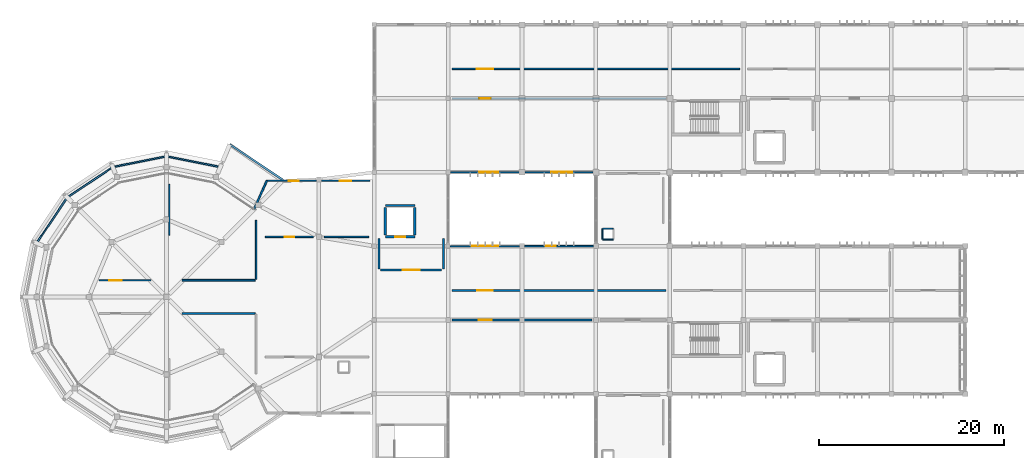
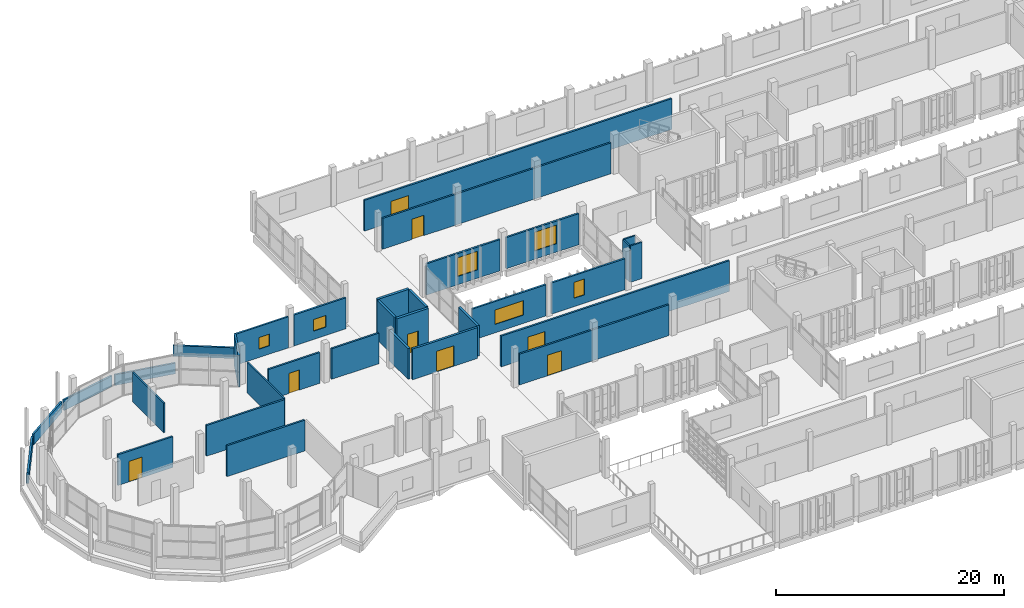
# One storey, part 45 of 63: 33 walls, 8 doors, 6 windows, 14 openings.
"""IFC4 building model written with IfcOpenShell, lengths in metres."""

from ifc_helpers import new_model, si_unit, direction, frame, frame_2d, origin, place, context, subcontext, project, spatial, rectangle, extrude, material, layer, layer_set, type_object, element, fill, save


model = new_model("IFC4")

# Units and contexts
model_context = context("Model", 3, precision=1e-05, world=origin(), true_north=direction((0.0, 1.0)))
body_context = subcontext(model_context, "Body", "Model", "MODEL_VIEW")
ifc_project = project(units=[si_unit("LENGTHUNIT", "METRE"), si_unit("AREAUNIT", "SQUARE_METRE"), si_unit("VOLUMEUNIT", "CUBIC_METRE"), si_unit("PLANEANGLEUNIT", "RADIAN"), si_unit("MASSUNIT", "GRAM", prefix="KILO")], contexts=[model_context])

# Site, building, storey
site_placement = place(None, origin())
site = spatial("IfcSite", under=ifc_project, at=site_placement, CompositionType="ELEMENT")
building_placement = place(site_placement, origin())
building = spatial("IfcBuilding", under=site, at=building_placement, Name="Jelvoka-Kovrelna Polytechnic", CompositionType="ELEMENT")
storey_placement = place(building_placement, frame((0.0, 0.0, 18.0)))
storey = spatial("IfcBuildingStorey", under=building, at=storey_placement, Name="L05", CompositionType="ELEMENT", Elevation=18.0)

# Wall, opening, door
ifc_material_1 = material(Name="Concrete C35/45", Category="concrete")
ifc_layer_1 = layer(ifc_material_1, 0.219970703125)
ifc_layer_set_1 = layer_set([ifc_layer_1], Name="Concrete C35/45")
wall_type_1 = type_object("IfcWallType", Name="Wall_Compartment_220", PredefinedType="PARTITIONING", material=ifc_layer_set_1)
wall_1_placement = place(storey_placement, frame((48.699951171875, 45.39990234375, 0.0), z_axis=(0.0, 0.0, 1.0), x_axis=(1.0, 0.0, 0.0)))
wall_1 = element("IfcWall", 1, at=wall_1_placement, inside=storey, type_object=wall_type_1, Name="L05 interior wall 0595", PredefinedType="PARTITIONING", context=body_context, shape_type="SweptSolid", body=[
    extrude(rectangle(XDim=6.60009765625, YDim=0.219970703125, at=frame_2d((3.300048828125, 0.0))), origin(), (0.0, 0.0, 1.0), 3.300048828125),
])
opening_1_placement = place(wall_1_placement, frame((2.39990234375, 0.0, 0.0)))
opening_1 = element("IfcOpeningElement", 2, at=opening_1_placement, cuts=wall_1, Name="Opening FD-L05-106", PredefinedType="OPENING", context=body_context, shape_type="SweptSolid", body=[
    extrude(rectangle(XDim=1.800048828125, YDim=2.199951171875, at=frame_2d((0.89990234375, 1.10009765625))), frame((0.0, 0.119873046875, 0.0), z_axis=(0.0, -1.0, 0.0), x_axis=(1.0, 0.0, 0.0)), (0.0, 0.0, 1.0), 0.239990234375),
])
ifc_material_2 = material(Name="Paired steel corridor fire door", Category="steel")
door_type_1 = type_object("IfcDoorType", Name="Door_Fire_FD03", OperationType="NOTDEFINED", PredefinedType="DOOR", material=ifc_material_2)
door_1_placement = place(opening_1_placement, origin())
door_1 = element("IfcDoor", 3, at=door_1_placement, inside=storey, type_object=door_type_1, Name="L05 interior door FD-L05-106", OperationType="DOUBLE_DOOR_SINGLE_SWING", OverallHeight=2.199951171875, OverallWidth=1.800048828125, PredefinedType="DOOR", context=body_context, shape_type="SweptSolid", body=[
    extrude(rectangle(XDim=1.800048828125, YDim=2.199951171875, at=frame_2d((0.89990234375, 1.10009765625))), frame((0.0, 0.02490234375, 0.0), z_axis=(0.0, -1.0, 0.0), x_axis=(1.0, 0.0, 0.0)), (0.0, 0.0, 1.0), 0.050048828125),
])
fill(opening_1, door_1)

# Walls
for number, where, z_axis, x_axis, name in (
    (4, (48.5, 45.550048828125, 0.0), (0.0, 0.0, 1.0), (0.0, 1.0, 0.0), "L05 interior wall 0596"),
    (5, (55.5, 45.550048828125, 0.0), (0.0, 0.0, 1.0), (0.0, 1.0, 0.0), "L05 interior wall 0597"),
):
    element("IfcWall", number, at=place(storey_placement, frame(where, z_axis=z_axis, x_axis=x_axis)), inside=storey, type_object=wall_type_1, Name=name, PredefinedType="PARTITIONING", context=body_context, shape_type="SweptSolid", body=[
        extrude(rectangle(XDim=3.300048828125, YDim=0.219970703125, at=frame_2d((1.64990234375, 0.0))), origin(), (0.0, 0.0, 1.0), 3.300048828125),
    ])

# Wall, opening, door
ifc_material_3 = material(Name="Concrete C40/50", Category="concrete")
ifc_layer_2 = layer(ifc_material_3, 0.25)
ifc_layer_set_2 = layer_set([ifc_layer_2], Name="Concrete C40/50")
wall_type_2 = type_object("IfcWallType", Name="Wall_Core_250", PredefinedType="SOLIDWALL", material=ifc_layer_set_2)
wall_2_placement = place(storey_placement, frame((49.199951171875, 49.0, 0.0), z_axis=(0.0, 0.0, 1.0), x_axis=(1.0, 0.0, 0.0)))
wall_2 = element("IfcWall", 6, at=wall_2_placement, inside=storey, type_object=wall_type_2, Name="L05 interior wall 0591", PredefinedType="SOLIDWALL", context=body_context, shape_type="SweptSolid", body=[
    extrude(rectangle(XDim=3.199951171875, YDim=0.25, at=frame_2d((1.60009765625, 0.0))), origin(), (0.0, 0.0, 1.0), 4.199951171875),
])
opening_2_placement = place(wall_2_placement, frame((1.050048828125, 0.0, 0.0)))
opening_2 = element("IfcOpeningElement", 7, at=opening_2_placement, cuts=wall_2, Name="Opening LD-L05-43", PredefinedType="OPENING", context=body_context, shape_type="SweptSolid", body=[
    extrude(rectangle(XDim=1.10009765625, YDim=2.14990234375, at=frame_2d((0.550048828125, 1.074951171875))), frame((0.0, 0.135009765625, 0.0), z_axis=(0.0, -1.0, 0.0), x_axis=(1.0, 0.0, 0.0)), (0.0, 0.0, 1.0), 0.27001953125),
])
ifc_material_4 = material(Name="Brushed stainless steel sliding landing door", Category="steel")
door_type_2 = type_object("IfcDoorType", Name="Door_Lift_LD01", OperationType="NOTDEFINED", PredefinedType="DOOR", material=ifc_material_4)
door_2_placement = place(opening_2_placement, origin())
door_2 = element("IfcDoor", 8, at=door_2_placement, inside=storey, type_object=door_type_2, Name="L05 lift landing sliding door LD-L05-43", OperationType="DOUBLE_DOOR_SLIDING", OverallHeight=2.14990234375, OverallWidth=1.10009765625, PredefinedType="DOOR", context=body_context, shape_type="SweptSolid", body=[
    extrude(rectangle(XDim=1.10009765625, YDim=2.14990234375, at=frame_2d((0.550048828125, 1.074951171875))), frame((0.0, 0.02490234375, 0.0), z_axis=(0.0, -1.0, 0.0), x_axis=(1.0, 0.0, 0.0)), (0.0, 0.0, 1.0), 0.050048828125),
])
fill(opening_2, door_2)

# Walls
wall_3_placement = place(storey_placement, frame((49.199951171875, 52.39990234375, 0.0), z_axis=(0.0, 0.0, 1.0), x_axis=(1.0, 0.0, 0.0)))
element("IfcWall", 9, at=wall_3_placement, inside=storey, type_object=wall_type_2, Name="L05 interior wall 0592", PredefinedType="SOLIDWALL", context=body_context, shape_type="SweptSolid", body=[
    extrude(rectangle(XDim=3.199951171875, YDim=0.25, at=frame_2d((1.60009765625, 0.0))), origin(), (0.0, 0.0, 1.0), 4.199951171875),
])
for number, where, z_axis, x_axis, name in (
    (10, (49.199951171875, 49.199951171875, 0.0), (0.0, 0.0, 1.0), (0.0, 1.0, 0.0), "L05 interior wall 0593"),
    (11, (52.39990234375, 49.199951171875, 0.0), (0.0, 0.0, 1.0), (0.0, 1.0, 0.0), "L05 interior wall 0594"),
):
    element("IfcWall", number, at=place(storey_placement, frame(where, z_axis=z_axis, x_axis=x_axis)), inside=storey, type_object=wall_type_2, Name=name, PredefinedType="SOLIDWALL", context=body_context, shape_type="SweptSolid", body=[
        extrude(rectangle(XDim=3.0, YDim=0.25, at=frame_2d((1.5, 0.0))), origin(), (0.0, 0.0, 1.0), 4.199951171875),
    ])

# Wall, opening, door
ifc_material_5 = material(Name="Autoclaved aerated concrete blockwork", Category="masonry")
ifc_layer_3 = layer(ifc_material_5, 0.179931640625)
ifc_layer_set_3 = layer_set([ifc_layer_3], Name="Autoclaved aerated concrete blockwork")
wall_type_3 = type_object("IfcWallType", Name="Wall_Corridor_180", PredefinedType="PARTITIONING", material=ifc_layer_set_3)
wall_4_placement = place(storey_placement, frame((56.429931640625, 40.0, 0.0), z_axis=(0.0, 0.0, 1.0), x_axis=(1.0, 0.0, 0.0)))
wall_4 = element("IfcWall", 12, at=wall_4_placement, inside=storey, type_object=wall_type_3, Name="L05 interior wall 1188", PredefinedType="PARTITIONING", context=body_context, shape_type="SweptSolid", body=[
    extrude(rectangle(XDim=15.14013671875, YDim=0.179931640625, at=frame_2d((7.570068359375, 0.0))), origin(), (0.0, 0.0, 1.0), 3.300048828125),
])
opening_3_placement = place(wall_4_placement, frame((2.860107421875, 0.0, 0.0)))
opening_3 = element("IfcOpeningElement", 13, at=opening_3_placement, cuts=wall_4, Name="Opening D-L05-381", PredefinedType="OPENING", context=body_context, shape_type="SweptSolid", body=[
    extrude(rectangle(XDim=1.419921875, YDim=2.199951171875, at=frame_2d((0.7099609375, 1.10009765625))), frame((0.0, 0.099853515625, 0.0), z_axis=(0.0, -1.0, 0.0), x_axis=(1.0, 0.0, 0.0)), (0.0, 0.0, 1.0), 0.199951171875),
])
ifc_material_6 = material(Name="Paired laboratory equipment door", Category="wood")
door_type_3 = type_object("IfcDoorType", Name="Door_Int_D16", OperationType="NOTDEFINED", PredefinedType="DOOR", material=ifc_material_6)
door_3_placement = place(opening_3_placement, origin())
door_3 = element("IfcDoor", 14, at=door_3_placement, inside=storey, type_object=door_type_3, Name="L05 interior door D-L05-381", OperationType="DOUBLE_DOOR_SINGLE_SWING", OverallHeight=2.199951171875, OverallWidth=1.419921875, PredefinedType="DOOR", context=body_context, shape_type="SweptSolid", body=[
    extrude(rectangle(XDim=1.419921875, YDim=2.199951171875, at=frame_2d((0.7099609375, 1.10009765625))), frame((0.0, 0.02490234375, 0.0), z_axis=(0.0, -1.0, 0.0), x_axis=(1.0, 0.0, 0.0)), (0.0, 0.0, 1.0), 0.050048828125),
])
fill(opening_3, door_3)

wall_5_placement = place(storey_placement, frame((56.429931640625, 43.199951171875, 0.0), z_axis=(0.0, 0.0, 1.0), x_axis=(1.0, 0.0, 0.0)))
wall_5 = element("IfcWall", 15, at=wall_5_placement, inside=storey, type_object=wall_type_3, Name="L05 interior wall 1192", PredefinedType="PARTITIONING", context=body_context, shape_type="SweptSolid", body=[
    extrude(rectangle(XDim=23.14013671875, YDim=0.179931640625, at=frame_2d((11.570068359375, 0.0))), origin(), (0.0, 0.0, 1.0), 3.300048828125),
])
opening_4_placement = place(wall_5_placement, frame((2.72998046875, 0.0, 0.0)))
opening_4 = element("IfcOpeningElement", 16, at=opening_4_placement, cuts=wall_5, Name="Opening D-L05-384", PredefinedType="OPENING", context=body_context, shape_type="SweptSolid", body=[
    extrude(rectangle(XDim=1.679931640625, YDim=2.25, at=frame_2d((0.83984375, 1.125))), frame((0.0, 0.099853515625, 0.0), z_axis=(0.0, -1.0, 0.0), x_axis=(1.0, 0.0, 0.0)), (0.0, 0.0, 1.0), 0.199951171875),
])
ifc_material_7 = material(Name="Paired acoustic lecture theatre door", Category="wood")
door_type_4 = type_object("IfcDoorType", Name="Door_Int_D20", OperationType="NOTDEFINED", PredefinedType="DOOR", material=ifc_material_7)
door_4_placement = place(opening_4_placement, origin())
door_4 = element("IfcDoor", 17, at=door_4_placement, inside=storey, type_object=door_type_4, Name="L05 interior door D-L05-384", OperationType="DOUBLE_DOOR_SINGLE_SWING", OverallHeight=2.25, OverallWidth=1.679931640625, PredefinedType="DOOR", context=body_context, shape_type="SweptSolid", body=[
    extrude(rectangle(XDim=1.679931640625, YDim=2.25, at=frame_2d((0.83984375, 1.125))), frame((0.0, 0.02490234375, 0.0), z_axis=(0.0, -1.0, 0.0), x_axis=(1.0, 0.0, 0.0)), (0.0, 0.0, 1.0), 0.050048828125),
])
fill(opening_4, door_4)

wall_6_placement = place(storey_placement, frame((56.429931640625, 64.0, 0.0), z_axis=(0.0, 0.0, 1.0), x_axis=(1.0, 0.0, 0.0)))
wall_6 = element("IfcWall", 18, at=wall_6_placement, inside=storey, type_object=wall_type_3, Name="L05 interior wall 1203", PredefinedType="PARTITIONING", context=body_context, shape_type="SweptSolid", body=[
    extrude(rectangle(XDim=23.14013671875, YDim=0.179931640625, at=frame_2d((11.570068359375, 0.0))), origin(), (0.0, 0.0, 1.0), 3.300048828125),
])
opening_5_placement = place(wall_6_placement, frame((2.9599609375, 0.0, 0.0)))
opening_5 = element("IfcOpeningElement", 19, at=opening_5_placement, cuts=wall_6, Name="Opening D-L05-393", PredefinedType="OPENING", context=body_context, shape_type="SweptSolid", body=[
    extrude(rectangle(XDim=1.219970703125, YDim=2.179931640625, at=frame_2d((0.60986328125, 1.08984375))), frame((0.0, 0.099853515625, 0.0), z_axis=(0.0, -1.0, 0.0), x_axis=(1.0, 0.0, 0.0)), (0.0, 0.0, 1.0), 0.199951171875),
])
ifc_material_8 = material(Name="Hardwood fire-resisting laboratory door", Category="wood")
door_type_5 = type_object("IfcDoorType", Name="Door_Fire_FD30_04", OperationType="NOTDEFINED", PredefinedType="DOOR", material=ifc_material_8)
door_5_placement = place(opening_5_placement, origin())
door_5 = element("IfcDoor", 20, at=door_5_placement, inside=storey, type_object=door_type_5, Name="L05 interior door D-L05-393", OperationType="SINGLE_SWING_RIGHT", OverallHeight=2.179931640625, OverallWidth=1.219970703125, PredefinedType="DOOR", context=body_context, shape_type="SweptSolid", body=[
    extrude(rectangle(XDim=1.219970703125, YDim=2.179931640625, at=frame_2d((0.60986328125, 1.08984375))), frame((0.0, 0.02490234375, 0.0), z_axis=(0.0, -1.0, 0.0), x_axis=(1.0, 0.0, 0.0)), (0.0, 0.0, 1.0), 0.050048828125),
])
fill(opening_5, door_5)

wall_7_placement = place(storey_placement, frame((56.429931640625, 67.199951171875, 0.0), z_axis=(0.0, 0.0, 1.0), x_axis=(1.0, 0.0, 0.0)))
wall_7 = element("IfcWall", 21, at=wall_7_placement, inside=storey, type_object=wall_type_3, Name="L05 interior wall 1209", PredefinedType="PARTITIONING", context=body_context, shape_type="SweptSolid", body=[
    extrude(rectangle(XDim=31.14013671875, YDim=0.179931640625, at=frame_2d((15.570068359375, 0.0))), origin(), (0.0, 0.0, 1.0), 3.300048828125),
])
opening_6_placement = place(wall_7_placement, frame((2.659912109375, 0.0, 0.0)))
opening_6 = element("IfcOpeningElement", 22, at=opening_6_placement, cuts=wall_7, Name="Opening D-L05-398", PredefinedType="OPENING", context=body_context, shape_type="SweptSolid", body=[
    extrude(rectangle(XDim=1.820068359375, YDim=2.25, at=frame_2d((0.91015625, 1.125))), frame((0.0, 0.099853515625, 0.0), z_axis=(0.0, -1.0, 0.0), x_axis=(1.0, 0.0, 0.0)), (0.0, 0.0, 1.0), 0.199951171875),
])
ifc_material_9 = material(Name="Paired hardwood fire-resisting assembly door", Category="wood")
door_type_6 = type_object("IfcDoorType", Name="Door_Fire_FD30_10", OperationType="NOTDEFINED", PredefinedType="DOOR", material=ifc_material_9)
door_6_placement = place(opening_6_placement, origin())
door_6 = element("IfcDoor", 23, at=door_6_placement, inside=storey, type_object=door_type_6, Name="L05 interior door D-L05-398", OperationType="DOUBLE_DOOR_SINGLE_SWING", OverallHeight=2.25, OverallWidth=1.820068359375, PredefinedType="DOOR", context=body_context, shape_type="SweptSolid", body=[
    extrude(rectangle(XDim=1.820068359375, YDim=2.25, at=frame_2d((0.91015625, 1.125))), frame((0.0, 0.02490234375, 0.0), z_axis=(0.0, -1.0, 0.0), x_axis=(1.0, 0.0, 0.0)), (0.0, 0.0, 1.0), 0.050048828125),
])
fill(opening_6, door_6)

# Wall
wall_8_placement = place(storey_placement, frame((42.60009765625, 49.0, 0.0), z_axis=(0.0, 0.0, 1.0), x_axis=(1.0, 0.0, 0.0)))
element("IfcWall", 24, at=wall_8_placement, inside=storey, type_object=wall_type_3, Name="L05 interior wall 1225", PredefinedType="PARTITIONING", context=body_context, shape_type="SweptSolid", body=[
    extrude(rectangle(XDim=4.7998046875, YDim=0.179931640625, at=frame_2d((2.39990234375, 0.0))), origin(), (0.0, 0.0, 1.0), 3.27490234375),
])

# Wall, opening, door
wall_9_placement = place(storey_placement, frame((36.199951171875, 49.0, 0.0), z_axis=(0.0, 0.0, 1.0), x_axis=(1.0, 0.0, 0.0)))
wall_9 = element("IfcWall", 25, at=wall_9_placement, inside=storey, type_object=wall_type_3, Name="L05 interior wall 1227", PredefinedType="PARTITIONING", context=body_context, shape_type="SweptSolid", body=[
    extrude(rectangle(XDim=5.199951171875, YDim=0.179931640625, at=frame_2d((2.60009765625, 0.0))), origin(), (0.0, 0.0, 1.0), 3.300048828125),
])
opening_7_placement = place(wall_9_placement, frame((2.080078125, 0.0, 0.0)))
opening_7 = element("IfcOpeningElement", 26, at=opening_7_placement, cuts=wall_9, Name="Opening D-L05-409", PredefinedType="OPENING", context=body_context, shape_type="SweptSolid", body=[
    extrude(rectangle(XDim=1.0400390625, YDim=2.14990234375, at=frame_2d((0.52001953125, 1.074951171875))), frame((0.0, 0.099853515625, 0.0), z_axis=(0.0, -1.0, 0.0), x_axis=(1.0, 0.0, 0.0)), (0.0, 0.0, 1.0), 0.199951171875),
])
ifc_material_10 = material(Name="Hardwood acoustic seminar door", Category="wood")
door_type_7 = type_object("IfcDoorType", Name="Door_Int_D09", OperationType="NOTDEFINED", PredefinedType="DOOR", material=ifc_material_10)
door_7_placement = place(opening_7_placement, origin())
door_7 = element("IfcDoor", 27, at=door_7_placement, inside=storey, type_object=door_type_7, Name="L05 interior door D-L05-409", OperationType="SINGLE_SWING_RIGHT", OverallHeight=2.14990234375, OverallWidth=1.0400390625, PredefinedType="DOOR", context=body_context, shape_type="SweptSolid", body=[
    extrude(rectangle(XDim=1.0400390625, YDim=2.14990234375, at=frame_2d((0.52001953125, 1.074951171875))), frame((0.0, 0.02490234375, 0.0), z_axis=(0.0, -1.0, 0.0), x_axis=(1.0, 0.0, 0.0)), (0.0, 0.0, 1.0), 0.050048828125),
])
fill(opening_7, door_7)

# Walls
for number, where, z_axis, x_axis, name in (
    (28, (27.199951171875, 40.699951171875, 0.0), (0.0, 0.0, 1.0), (1.0, 0.0, 0.0), "L05 interior wall 1228"),
    (29, (27.199951171875, 44.300048828125, 0.0), (0.0, 0.0, 1.0), (1.0, 0.0, 0.0), "L05 interior wall 1231"),
):
    element("IfcWall", number, at=place(storey_placement, frame(where, z_axis=z_axis, x_axis=x_axis)), inside=storey, type_object=wall_type_3, Name=name, PredefinedType="PARTITIONING", context=body_context, shape_type="SweptSolid", body=[
        extrude(rectangle(XDim=7.900146484375, YDim=0.179931640625, at=frame_2d((3.9501953125, 0.0))), origin(), (0.0, 0.0, 1.0), 3.300048828125),
    ])

# Wall, opening, door
wall_10_placement = place(storey_placement, frame((18.199951171875, 44.300048828125, 0.0), z_axis=(0.0, 0.0, 1.0), x_axis=(1.0, 0.0, 0.0)))
wall_10 = element("IfcWall", 30, at=wall_10_placement, inside=storey, type_object=wall_type_3, Name="L05 interior wall 1233", PredefinedType="PARTITIONING", context=body_context, shape_type="SweptSolid", body=[
    extrude(rectangle(XDim=5.60009765625, YDim=0.179931640625, at=frame_2d((2.800048828125, 0.0))), origin(), (0.0, 0.0, 1.0), 3.300048828125),
])
opening_8_placement = place(wall_10_placement, frame((1.125, 0.0, 0.0)))
opening_8 = element("IfcOpeningElement", 31, at=opening_8_placement, cuts=wall_10, Name="Opening D-L05-411", PredefinedType="OPENING", context=body_context, shape_type="SweptSolid", body=[
    extrude(rectangle(XDim=1.35009765625, YDim=2.199951171875, at=frame_2d((0.675048828125, 1.10009765625))), frame((0.0, 0.099853515625, 0.0), z_axis=(0.0, -1.0, 0.0), x_axis=(1.0, 0.0, 0.0)), (0.0, 0.0, 1.0), 0.199951171875),
])
ifc_material_11 = material(Name="Studio wide leaf door", Category="wood")
door_type_8 = type_object("IfcDoorType", Name="Door_Int_D15", OperationType="NOTDEFINED", PredefinedType="DOOR", material=ifc_material_11)
door_8_placement = place(opening_8_placement, origin())
door_8 = element("IfcDoor", 32, at=door_8_placement, inside=storey, type_object=door_type_8, Name="L05 interior door D-L05-411", OperationType="SINGLE_SWING_RIGHT", OverallHeight=2.199951171875, OverallWidth=1.35009765625, PredefinedType="DOOR", context=body_context, shape_type="SweptSolid", body=[
    extrude(rectangle(XDim=1.35009765625, YDim=2.199951171875, at=frame_2d((0.675048828125, 1.10009765625))), frame((0.0, 0.02490234375, 0.0), z_axis=(0.0, -1.0, 0.0), x_axis=(1.0, 0.0, 0.0)), (0.0, 0.0, 1.0), 0.050048828125),
])
fill(opening_8, door_8)

# Wall, opening, window
ifc_material_12 = material(Name="Precast concrete C40/50", Category="concrete")
ifc_layer_4 = layer(ifc_material_12, 0.18505859375)
ifc_layer_set_4 = layer_set([ifc_layer_4], Name="Precast concrete C40/50")
wall_type_4 = type_object("IfcWallType", Name="Wall_Ext_White_260", PredefinedType="STANDARD", material=ifc_layer_set_4)
wall_11_placement = place(storey_placement, frame((56.221923828125, 48.0, 0.0), z_axis=(0.0, 0.0, 1.0), x_axis=(1.0, 0.0, 0.0)))
wall_11 = element("IfcWall", 33, at=wall_11_placement, inside=storey, type_object=wall_type_4, Name="L05 exterior wall 0413", PredefinedType="STANDARD", context=body_context, shape_type="SweptSolid", body=[
    extrude(rectangle(XDim=7.506103515625, YDim=0.18505859375, at=frame_2d((3.7529296875, 0.0))), origin(), (0.0, 0.0, 1.0), 3.35009765625),
])
opening_9_placement = place(wall_11_placement, frame((2.35791015625, 0.0, 0.89990234375)))
opening_9 = element("IfcOpeningElement", 34, at=opening_9_placement, cuts=wall_11, Name="Opening W-L05-146", PredefinedType="OPENING", context=body_context, shape_type="SweptSolid", body=[
    extrude(rectangle(XDim=2.85009765625, YDim=1.550048828125, at=frame_2d((1.425048828125, 0.77490234375))), frame((0.0, 0.1025390625, 0.0), z_axis=(0.0, -1.0, 0.0), x_axis=(1.0, 0.0, 0.0)), (0.0, 0.0, 1.0), 0.205078125),
])
ifc_material_13 = material(Name="Thermally broken anodised aluminium and low-e glazing", Category="aluminium")
window_type_1 = type_object("IfcWindowType", Name="Win_Casement_W30", PartitioningType="DOUBLE_PANEL_VERTICAL", PredefinedType="WINDOW", material=ifc_material_13)
window_1_placement = place(opening_9_placement, origin())
window_1 = element("IfcWindow", 35, at=window_1_placement, inside=storey, type_object=window_type_1, Name="L05 aluminium casement window W-L05-146", OverallHeight=1.550048828125, OverallWidth=2.85009765625, PartitioningType="DOUBLE_PANEL_VERTICAL", PredefinedType="WINDOW", context=body_context, shape_type="SweptSolid", body=[
    extrude(rectangle(XDim=2.85009765625, YDim=1.550048828125, at=frame_2d((1.425048828125, 0.77490234375))), frame((0.0, 0.030029296875, 0.0), z_axis=(0.0, -1.0, 0.0), x_axis=(1.0, 0.0, 0.0)), (0.0, 0.0, 1.0), 0.06005859375),
])
fill(opening_9, window_1)

wall_12_placement = place(storey_placement, frame((64.27197265625, 48.0, 0.0), z_axis=(0.0, 0.0, 1.0), x_axis=(1.0, 0.0, 0.0)))
wall_12 = element("IfcWall", 36, at=wall_12_placement, inside=storey, type_object=wall_type_4, Name="L05 exterior wall 0415", PredefinedType="STANDARD", context=body_context, shape_type="SweptSolid", body=[
    extrude(rectangle(XDim=7.4560546875, YDim=0.18505859375, at=frame_2d((3.72802734375, 0.0))), origin(), (0.0, 0.0, 1.0), 3.3349609375),
])
opening_10_placement = place(wall_12_placement, frame((2.30810546875, 0.0, 0.89990234375)))
opening_10 = element("IfcOpeningElement", 37, at=opening_10_placement, cuts=wall_12, Name="Opening W-L05-148", PredefinedType="OPENING", context=body_context, shape_type="SweptSolid", body=[
    extrude(rectangle(XDim=1.050048828125, YDim=1.699951171875, at=frame_2d((0.52490234375, 0.85009765625))), frame((0.0, 0.1025390625, 0.0), z_axis=(0.0, -1.0, 0.0), x_axis=(1.0, 0.0, 0.0)), (0.0, 0.0, 1.0), 0.205078125),
])
ifc_material_14 = material(Name="Thermally broken anodised aluminium and low-e glazing", Category="aluminium")
window_type_2 = type_object("IfcWindowType", Name="Win_Casement_W31", PartitioningType="SINGLE_PANEL", PredefinedType="WINDOW", material=ifc_material_14)
window_2_placement = place(opening_10_placement, origin())
window_2 = element("IfcWindow", 38, at=window_2_placement, inside=storey, type_object=window_type_2, Name="L05 aluminium casement window W-L05-148", OverallHeight=1.699951171875, OverallWidth=1.050048828125, PartitioningType="SINGLE_PANEL", PredefinedType="WINDOW", context=body_context, shape_type="SweptSolid", body=[
    extrude(rectangle(XDim=1.050048828125, YDim=1.699951171875, at=frame_2d((0.52490234375, 0.85009765625))), frame((0.0, 0.030029296875, 0.0), z_axis=(0.0, -1.0, 0.0), x_axis=(1.0, 0.0, 0.0)), (0.0, 0.0, 1.0), 0.06005859375),
])
fill(opening_10, window_2)

wall_13_placement = place(storey_placement, frame((63.702880859375, 56.0, 0.0), z_axis=(0.0, 0.0, 1.0), x_axis=(-1.0, 0.0, 0.0)))
wall_13 = element("IfcWall", 39, at=wall_13_placement, inside=storey, type_object=wall_type_4, Name="L05 exterior wall 0711", PredefinedType="STANDARD", context=body_context, shape_type="SweptSolid", body=[
    extrude(rectangle(XDim=7.455810546875, YDim=0.18505859375, at=frame_2d((3.72802734375, 0.0))), origin(), (0.0, 0.0, 1.0), 3.35009765625),
])
opening_11_placement = place(wall_13_placement, frame((2.282958984375, 0.0, 0.89990234375)))
opening_11 = element("IfcOpeningElement", 40, at=opening_11_placement, cuts=wall_13, Name="Opening W-L05-373", PredefinedType="OPENING", context=body_context, shape_type="SweptSolid", body=[
    extrude(rectangle(XDim=2.050048828125, YDim=2.0, at=frame_2d((1.02490234375, 1.0))), frame((0.0, 0.1025390625, 0.0), z_axis=(0.0, -1.0, 0.0), x_axis=(1.0, 0.0, 0.0)), (0.0, 0.0, 1.0), 0.205078125),
])
ifc_material_15 = material(Name="Thermally broken anodised aluminium and low-e glazing", Category="aluminium")
window_type_3 = type_object("IfcWindowType", Name="Win_Casement_W56", PartitioningType="DOUBLE_PANEL_VERTICAL", PredefinedType="WINDOW", material=ifc_material_15)
window_3_placement = place(opening_11_placement, origin())
window_3 = element("IfcWindow", 41, at=window_3_placement, inside=storey, type_object=window_type_3, Name="L05 aluminium casement window W-L05-373", OverallHeight=2.0, OverallWidth=2.050048828125, PartitioningType="DOUBLE_PANEL_VERTICAL", PredefinedType="WINDOW", context=body_context, shape_type="SweptSolid", body=[
    extrude(rectangle(XDim=2.050048828125, YDim=2.0, at=frame_2d((1.02490234375, 1.0))), frame((0.0, 0.030029296875, 0.0), z_axis=(0.0, -1.0, 0.0), x_axis=(1.0, 0.0, 0.0)), (0.0, 0.0, 1.0), 0.06005859375),
])
fill(opening_11, window_3)

wall_14_placement = place(storey_placement, frame((71.677978515625, 56.0, 0.0), z_axis=(0.0, 0.0, 1.0), x_axis=(-1.0, 0.0, 0.0)))
wall_14 = element("IfcWall", 42, at=wall_14_placement, inside=storey, type_object=wall_type_4, Name="L05 exterior wall 0713", PredefinedType="STANDARD", context=body_context, shape_type="SweptSolid", body=[
    extrude(rectangle(XDim=7.380859375, YDim=0.18505859375, at=frame_2d((3.6904296875, 0.0))), origin(), (0.0, 0.0, 1.0), 3.3349609375),
])
opening_12_placement = place(wall_14_placement, frame((2.258056640625, 0.0, 0.89990234375)))
opening_12 = element("IfcOpeningElement", 43, at=opening_12_placement, cuts=wall_14, Name="Opening W-L05-375", PredefinedType="OPENING", context=body_context, shape_type="SweptSolid", body=[
    extrude(rectangle(XDim=2.25, YDim=2.0, at=frame_2d((1.125, 1.0))), frame((0.0, 0.1025390625, 0.0), z_axis=(0.0, -1.0, 0.0), x_axis=(1.0, 0.0, 0.0)), (0.0, 0.0, 1.0), 0.205078125),
])
ifc_material_16 = material(Name="Thermally broken anodised aluminium and low-e glazing", Category="aluminium")
window_type_4 = type_object("IfcWindowType", Name="Win_Casement_W57", PartitioningType="DOUBLE_PANEL_VERTICAL", PredefinedType="WINDOW", material=ifc_material_16)
window_4_placement = place(opening_12_placement, origin())
window_4 = element("IfcWindow", 44, at=window_4_placement, inside=storey, type_object=window_type_4, Name="L05 aluminium casement window W-L05-375", OverallHeight=2.0, OverallWidth=2.25, PartitioningType="DOUBLE_PANEL_VERTICAL", PredefinedType="WINDOW", context=body_context, shape_type="SweptSolid", body=[
    extrude(rectangle(XDim=2.25, YDim=2.0, at=frame_2d((1.125, 1.0))), frame((0.0, 0.030029296875, 0.0), z_axis=(0.0, -1.0, 0.0), x_axis=(1.0, 0.0, 0.0)), (0.0, 0.0, 1.0), 0.06005859375),
])
fill(opening_12, window_4)

# Wall
wall_15_placement = place(storey_placement, frame((34.97509765625, 51.97509765625, 0.0), z_axis=(0.0, 0.0, 1.0), x_axis=(0.40761125598, 0.913155553013, 0.0)))
element("IfcWall", 45, at=wall_15_placement, inside=storey, type_object=wall_type_4, Name="L05 exterior wall 1033", PredefinedType="STANDARD", context=body_context, shape_type="SweptSolid", body=[
    extrude(rectangle(XDim=3.39794921875, YDim=0.18505859375, at=frame_2d((1.698974609375, 0.0))), origin(), (0.0, 0.0, 1.0), 3.35009765625),
])

# Wall, opening, window
wall_16_placement = place(storey_placement, frame((36.340087890625, 55.077880859375, 0.0), z_axis=(0.0, 0.0, 1.0), x_axis=(1.0, 0.0, 0.0)))
wall_16 = element("IfcWall", 46, at=wall_16_placement, inside=storey, type_object=wall_type_4, Name="L05 exterior wall 1034", PredefinedType="STANDARD", context=body_context, shape_type="SweptSolid", body=[
    extrude(rectangle(XDim=5.387939453125, YDim=0.18505859375, at=frame_2d((2.69384765625, 0.0))), origin(), (0.0, 0.0, 1.0), 3.324951171875),
])
opening_13_placement = place(wall_16_placement, frame((2.409912109375, 0.0, 0.89990234375)))
opening_13 = element("IfcOpeningElement", 47, at=opening_13_placement, cuts=wall_16, Name="Opening W-L05-555", PredefinedType="OPENING", context=body_context, shape_type="SweptSolid", body=[
    extrude(rectangle(XDim=1.050048828125, YDim=1.25, at=frame_2d((0.52490234375, 0.625))), frame((0.0, 0.1025390625, 0.0), z_axis=(0.0, -1.0, 0.0), x_axis=(1.0, 0.0, 0.0)), (0.0, 0.0, 1.0), 0.205078125),
])
ifc_material_17 = material(Name="Thermally broken anodised aluminium and low-e glazing", Category="aluminium")
window_type_5 = type_object("IfcWindowType", Name="Win_Casement_W01", PartitioningType="SINGLE_PANEL", PredefinedType="WINDOW", material=ifc_material_17)
window_5_placement = place(opening_13_placement, origin())
window_5 = element("IfcWindow", 48, at=window_5_placement, inside=storey, type_object=window_type_5, Name="L05 aluminium casement window W-L05-555", OverallHeight=1.25, OverallWidth=1.050048828125, PartitioningType="SINGLE_PANEL", PredefinedType="WINDOW", context=body_context, shape_type="SweptSolid", body=[
    extrude(rectangle(XDim=1.050048828125, YDim=1.25, at=frame_2d((0.52490234375, 0.625))), frame((0.0, 0.030029296875, 0.0), z_axis=(0.0, -1.0, 0.0), x_axis=(1.0, 0.0, 0.0)), (0.0, 0.0, 1.0), 0.06005859375),
])
fill(opening_13, window_5)

wall_17_placement = place(storey_placement, frame((42.27197265625, 55.077880859375, 0.0), z_axis=(0.0, 0.0, 1.0), x_axis=(1.0, 0.0, 0.0)))
wall_17 = element("IfcWall", 49, at=wall_17_placement, inside=storey, type_object=wall_type_4, Name="L05 exterior wall 1035", PredefinedType="STANDARD", context=body_context, shape_type="SweptSolid", body=[
    extrude(rectangle(XDim=5.278076171875, YDim=0.18505859375, at=frame_2d((2.63916015625, 0.0))), origin(), (0.0, 0.0, 1.0), 3.324951171875),
])
opening_14_placement = place(wall_17_placement, frame((1.97802734375, 0.0, 0.89990234375)))
opening_14 = element("IfcOpeningElement", 50, at=opening_14_placement, cuts=wall_17, Name="Opening W-L05-556", PredefinedType="OPENING", context=body_context, shape_type="SweptSolid", body=[
    extrude(rectangle(XDim=1.25, YDim=1.25, at=frame_2d((0.625, 0.625))), frame((0.0, 0.1025390625, 0.0), z_axis=(0.0, -1.0, 0.0), x_axis=(1.0, 0.0, 0.0)), (0.0, 0.0, 1.0), 0.205078125),
])
ifc_material_18 = material(Name="Thermally broken anodised aluminium and low-e glazing", Category="aluminium")
window_type_6 = type_object("IfcWindowType", Name="Win_Casement_W02", PartitioningType="SINGLE_PANEL", PredefinedType="WINDOW", material=ifc_material_18)
window_6_placement = place(opening_14_placement, origin())
window_6 = element("IfcWindow", 51, at=window_6_placement, inside=storey, type_object=window_type_6, Name="L05 aluminium casement window W-L05-556", OverallHeight=1.25, OverallWidth=1.25, PartitioningType="SINGLE_PANEL", PredefinedType="WINDOW", context=body_context, shape_type="SweptSolid", body=[
    extrude(rectangle(XDim=1.25, YDim=1.25, at=frame_2d((0.625, 0.625))), frame((0.0, 0.030029296875, 0.0), z_axis=(0.0, -1.0, 0.0), x_axis=(1.0, 0.0, 0.0)), (0.0, 0.0, 1.0), 0.06005859375),
])
fill(opening_14, window_6)

# Walls
ifc_material_19 = material(Name="Precast concrete C40/50", Category="concrete")
ifc_layer_5 = layer(ifc_material_19, 0.179931640625)
ifc_layer_set_5 = layer_set([ifc_layer_5], Name="Precast concrete C40/50")
wall_type_5 = type_object("IfcWallType", Name="Wall_Parapet_180", PredefinedType="PARAPET", material=ifc_layer_set_5)
for number, where, z_axis, x_axis, name in (
    (52, (31.16748046875, 56.592529296875, 0.0), (0.0, 0.0, 1.0), (-0.980782378932, 0.19510490813, 0.0), "L05 exterior wall 1022"),
    (53, (25.343017578125, 57.688720703125, 0.0), (0.0, 0.0, 1.0), (-0.980782378932, -0.19510490813, 0.0), "L05 exterior wall 1023"),
    (54, (19.54248046875, 56.472412109375, 0.0), (0.0, 0.0, 1.0), (-0.831481620435, -0.555552261158, 0.0), "L05 exterior wall 1024"),
    (55, (14.64892578125, 53.129150390625, 0.0), (0.0, 0.0, 1.0), (-0.555552261158, -0.831481620435, 0.0), "L05 exterior wall 1025"),
):
    element("IfcWall", number, at=place(storey_placement, frame(where, z_axis=z_axis, x_axis=x_axis)), inside=storey, type_object=wall_type_5, Name=name, PredefinedType="PARAPET", context=body_context, shape_type="SweptSolid", body=[
        extrude(rectangle(XDim=5.618408203125, YDim=0.179931640625, at=frame_2d((2.80908203125, 0.0))), origin(), (0.0, 0.0, 1.0), 1.14990234375),
    ])
ifc_material_20 = material(Name="Precast concrete C40/50", Category="concrete")
ifc_layer_6 = layer(ifc_material_20, 0.199951171875)
ifc_layer_set_6 = layer_set([ifc_layer_6], Name="Precast concrete C40/50")
wall_type_6 = type_object("IfcWallType", Name="Wall_Parapet_200", PredefinedType="PARAPET", material=ifc_layer_set_6)
wall_18_placement = place(storey_placement, frame((38.14306640625, 55.14306640625, 0.0), z_axis=(0.0, 0.0, 1.0), x_axis=(-0.831468390799, 0.555572061125, 0.0)))
element("IfcWall", 56, at=wall_18_placement, inside=storey, type_object=wall_type_6, Name="L05 exterior wall 1020", PredefinedType="PARAPET", context=body_context, shape_type="SweptSolid", body=[
    extrude(rectangle(XDim=6.9765625, YDim=0.199951171875, at=frame_2d((3.48828125, 0.0))), origin(), (0.0, 0.0, 1.0), 1.14990234375),
])
ifc_material_21 = material(Name="Autoclaved aerated concrete blockwork", Category="masonry")
ifc_layer_7 = layer(ifc_material_21, 0.14990234375)
ifc_layer_set_7 = layer_set([ifc_layer_7], Name="Autoclaved aerated concrete blockwork")
wall_type_7 = type_object("IfcWallType", Name="Wall_Partition_150", PredefinedType="PARTITIONING", material=ifc_layer_set_7)
for number, where, z_axis, x_axis, name in (
    (57, (72.719970703125, 48.719970703125, 0.0), (0.0, 0.0, 1.0), (1.0, 0.0, 0.0), "L05 interior wall 0775"),
    (58, (73.8798828125, 49.8798828125, 0.0), (0.0, 0.0, 1.0), (-1.0, 0.0, 0.0), "L05 interior wall 0777"),
    (59, (72.719970703125, 49.8798828125, 0.0), (0.0, 0.0, 1.0), (0.0, -1.0, 0.0), "L05 interior wall 0778"),
):
    element("IfcWall", number, at=place(storey_placement, frame(where, z_axis=z_axis, x_axis=x_axis)), inside=storey, type_object=wall_type_7, Name=name, PredefinedType="PARTITIONING", context=body_context, shape_type="SweptSolid", body=[
        extrude(rectangle(XDim=1.159912109375, YDim=0.14990234375, at=frame_2d((0.580078125, 0.0))), origin(), (0.0, 0.0, 1.0), 3.89990234375),
    ])
wall_19_placement = place(storey_placement, frame((25.800048828125, 49.199951171875, 0.0), z_axis=(0.0, 0.0, 1.0), x_axis=(0.0, 1.0, 0.0)))
element("IfcWall", 60, at=wall_19_placement, inside=storey, type_object=wall_type_7, Name="L05 interior wall 1226", PredefinedType="PARTITIONING", context=body_context, shape_type="SweptSolid", body=[
    extrude(rectangle(XDim=5.5, YDim=0.14990234375, at=frame_2d((2.75, 0.0))), origin(), (0.0, 0.0, 1.0), 3.175048828125),
])
wall_20_placement = place(storey_placement, frame((35.199951171875, 44.39990234375, 0.0), z_axis=(0.0, 0.0, 1.0), x_axis=(0.0, 1.0, 0.0)))
element("IfcWall", 61, at=wall_20_placement, inside=storey, type_object=wall_type_7, Name="L05 interior wall 1232", PredefinedType="PARTITIONING", context=body_context, shape_type="SweptSolid", body=[
    extrude(rectangle(XDim=6.400146484375, YDim=0.14990234375, at=frame_2d((3.2001953125, 0.0))), origin(), (0.0, 0.0, 1.0), 3.300048828125),
])

save(model, "model.ifc")
